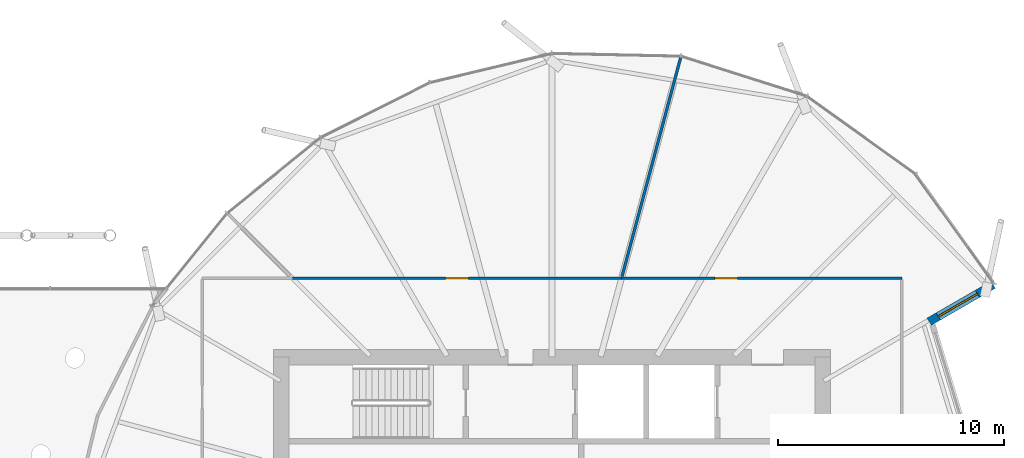
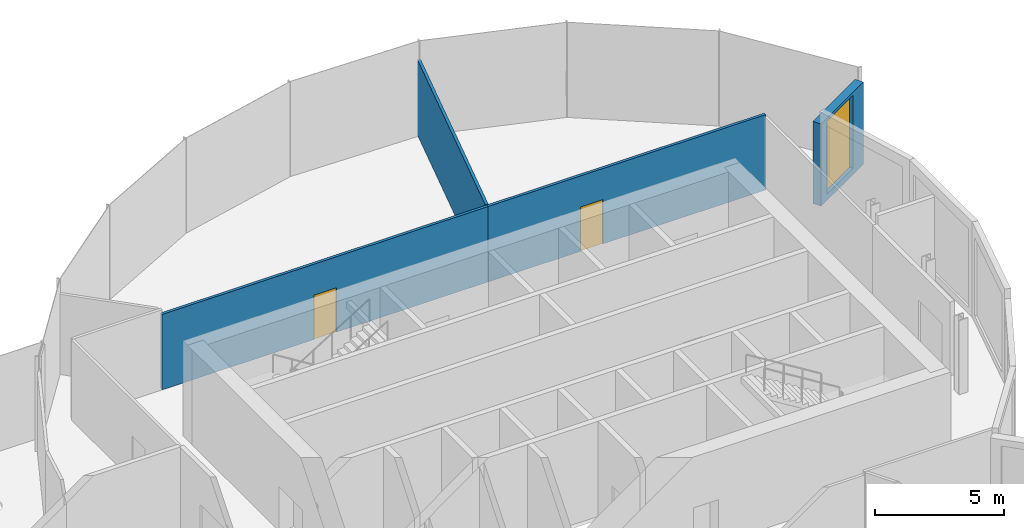
# One storey, part 27 of 36: 4 walls, 2 doors, 1 window, 3 openings.
"""IFC4 building model written with IfcOpenShell, lengths in metres."""

from ifc_helpers import new_model, si_unit, direction, frame, frame_2d, origin, place, context, subcontext, project, spatial, rectangle, extrude, material, layer, layer_set, type_object, element, fill, save


model = new_model("IFC4")

# Units and contexts
model_context = context("Model", 3, precision=1e-05, world=origin(), true_north=direction((0.0, 1.0)))
body_context = subcontext(model_context, "Body", "Model", "MODEL_VIEW")
ifc_project = project(units=[si_unit("LENGTHUNIT", "METRE"), si_unit("AREAUNIT", "SQUARE_METRE"), si_unit("VOLUMEUNIT", "CUBIC_METRE"), si_unit("PLANEANGLEUNIT", "RADIAN"), si_unit("MASSUNIT", "GRAM", prefix="KILO")], contexts=[model_context])

# Site, building, storey
site_placement = place(None, origin())
site = spatial("IfcSite", under=ifc_project, at=site_placement, CompositionType="ELEMENT")
building_placement = place(site_placement, origin())
building = spatial("IfcBuilding", under=site, at=building_placement, Name="Rimbun Link Towers", CompositionType="ELEMENT")
storey_placement = place(building_placement, frame((0.0, 0.0, 154.39990234375)))
storey = spatial("IfcBuildingStorey", under=building, at=storey_placement, Name="L37", CompositionType="ELEMENT", Elevation=154.39990234375)

# Wall, opening, window
ifc_material_1 = material(Name="Dark enamelled glass spandrel on insulated aluminium backpan", Category="aluminium")
ifc_layer_1 = layer(ifc_material_1, 0.3701171875)
ifc_layer_set_1 = layer_set([ifc_layer_1], Name="CS dark enamelled spandrel wall 370")
wall_type_1 = type_object("IfcWallType", Name="CS dark enamelled spandrel wall 370", PredefinedType="STANDARD", material=ifc_layer_set_1)
wall_1_placement = place(storey_placement, frame((51.304443359375, 11.214599609375, 0.0), z_axis=(0.0, 0.0, 1.0), x_axis=(-0.866040564224, -0.499973740429, 0.0)))
wall_1 = element("IfcWall", 1, at=wall_1_placement, inside=storey, type_object=wall_type_1, Name="Crease spandrel wall", PredefinedType="STANDARD", context=body_context, shape_type="SweptSolid", body=[
    extrude(rectangle(XDim=3.280029296875, YDim=0.3701171875, at=frame_2d((1.64013671875, 0.0))), origin(), (0.0, 0.0, 1.0), 3.88671875),
])
opening_1_placement = place(wall_1_placement, frame((0.812255859375, 0.0, 0.300048828125)))
opening_1 = element("IfcOpeningElement", 2, at=opening_1_placement, cuts=wall_1, Name="Opening WR20H345", PredefinedType="OPENING", context=body_context, shape_type="SweptSolid", body=[
    extrude(rectangle(XDim=2.0, YDim=3.449951171875, at=frame_2d((1.0, 1.72509765625))), frame((0.0, 0.195068359375, 0.0), z_axis=(0.0, -1.0, 0.0), x_axis=(1.0, 0.0, 0.0)), (0.0, 0.0, 1.0), 0.39013671875),
])
ifc_material_2 = material(Name="Aluminium framed fixed window, dark tinted low-e glass", Category="aluminium")
window_type = type_object("IfcWindowType", Name="WR ribbon window 2000X3450", PartitioningType="SINGLE_PANEL", PredefinedType="WINDOW", material=ifc_material_2)
window_placement = place(opening_1_placement, origin())
window = element("IfcWindow", 3, at=window_placement, inside=storey, type_object=window_type, Name="Crease ribbon window", OverallHeight=3.449951171875, OverallWidth=2.0, PartitioningType="SINGLE_PANEL", PredefinedType="WINDOW", context=body_context, shape_type="SweptSolid", body=[
    extrude(rectangle(XDim=2.0, YDim=3.449951171875, at=frame_2d((1.0, 1.72509765625))), frame((0.0, 0.030029296875, 0.0), z_axis=(0.0, -1.0, 0.0), x_axis=(1.0, 0.0, 0.0)), (0.0, 0.0, 1.0), 0.06005859375),
])
fill(opening_1, window)

# Wall, opening, door
ifc_material_3 = material(Name="Gypsum board on steel studs", Category="steel")
ifc_layer_2 = layer(ifc_material_3, 0.125)
ifc_layer_set_2 = layer_set([ifc_layer_2], Name="Partition 125 board on studs")
wall_type_2 = type_object("IfcWallType", Name="Partition 125 board on studs", PredefinedType="PARTITIONING", material=ifc_layer_set_2)
wall_2_placement = place(storey_placement, frame((47.25, 11.5, 0.0), z_axis=(0.0, 0.0, 1.0), x_axis=(-1.0, 0.0, 0.0)))
wall_2 = element("IfcWall", 4, at=wall_2_placement, inside=storey, type_object=wall_type_2, Name="TW/PW/L37/043", PredefinedType="PARTITIONING", context=body_context, shape_type="SweptSolid", body=[
    extrude(rectangle(XDim=12.418701171875, YDim=0.125, at=frame_2d((6.20947265625, 0.0))), origin(), (0.0, 0.0, 1.0), 3.568115234375),
])
opening_2_placement = place(wall_2_placement, frame((7.287109375, 0.0, 0.0)))
opening_2 = element("IfcOpeningElement", 5, at=opening_2_placement, cuts=wall_2, Name="Opening TW D37.15", PredefinedType="OPENING", context=body_context, shape_type="SweptSolid", body=[
    extrude(rectangle(XDim=1.0, YDim=2.10009765625, at=frame_2d((0.5, 1.050048828125))), frame((0.0, 0.072509765625, 0.0), z_axis=(0.0, -1.0, 0.0), x_axis=(1.0, 0.0, 0.0)), (0.0, 0.0, 1.0), 0.14501953125),
])
ifc_material_4 = material(Name="Timber door set", Category="wood")
door_type = type_object("IfcDoorType", Name="Door single leaf 1000 x 2100", OperationType="NOTDEFINED", PredefinedType="DOOR", material=ifc_material_4)
door_1_placement = place(opening_2_placement, origin())
door_1 = element("IfcDoor", 6, at=door_1_placement, inside=storey, type_object=door_type, Name="TW/DR/L37/015", OperationType="SINGLE_SWING_RIGHT", OverallHeight=2.10009765625, OverallWidth=1.0, PredefinedType="DOOR", context=body_context, shape_type="SweptSolid", body=[
    extrude(rectangle(XDim=1.0, YDim=2.10009765625, at=frame_2d((0.5, 1.050048828125))), frame((0.0, 0.02490234375, 0.0), z_axis=(0.0, -1.0, 0.0), x_axis=(1.0, 0.0, 0.0)), (0.0, 0.0, 1.0), 0.050048828125),
])
fill(opening_2, door_1)

wall_3_placement = place(storey_placement, frame((34.831298828125, 11.5, 0.0), z_axis=(0.0, 0.0, 1.0), x_axis=(-1.0, 0.0, 0.0)))
wall_3 = element("IfcWall", 7, at=wall_3_placement, inside=storey, type_object=wall_type_2, Name="TW/PW/L37/045", PredefinedType="PARTITIONING", context=body_context, shape_type="SweptSolid", body=[
    extrude(rectangle(XDim=14.581298828125, YDim=0.125, at=frame_2d((7.29052734375, 0.0))), origin(), (0.0, 0.0, 1.0), 3.568115234375),
])
opening_3_placement = place(wall_3_placement, frame((6.791015625, 0.0, 0.0)))
opening_3 = element("IfcOpeningElement", 8, at=opening_3_placement, cuts=wall_3, Name="Opening TW D37.16", PredefinedType="OPENING", context=body_context, shape_type="SweptSolid", body=[
    extrude(rectangle(XDim=1.0, YDim=2.10009765625, at=frame_2d((0.5, 1.050048828125))), frame((0.0, 0.072509765625, 0.0), z_axis=(0.0, -1.0, 0.0), x_axis=(1.0, 0.0, 0.0)), (0.0, 0.0, 1.0), 0.14501953125),
])
door_2_placement = place(opening_3_placement, origin())
door_2 = element("IfcDoor", 9, at=door_2_placement, inside=storey, type_object=door_type, Name="TW/DR/L37/016", OperationType="SINGLE_SWING_LEFT", OverallHeight=2.10009765625, OverallWidth=1.0, PredefinedType="DOOR", context=body_context, shape_type="SweptSolid", body=[
    extrude(rectangle(XDim=1.0, YDim=2.10009765625, at=frame_2d((0.5, 1.050048828125))), frame((0.0, 0.02490234375, 0.0), z_axis=(0.0, -1.0, 0.0), x_axis=(1.0, 0.0, 0.0)), (0.0, 0.0, 1.0), 0.050048828125),
])
fill(opening_3, door_2)

# Wall
wall_4_placement = place(storey_placement, frame((37.48095703125, 21.38818359375, 0.0), z_axis=(0.0, 0.0, 1.0), x_axis=(-0.258814591656, -0.965927019575, 0.0)))
element("IfcWall", 10, at=wall_4_placement, inside=storey, type_object=wall_type_2, Name="TW/PW/L37/058", PredefinedType="PARTITIONING", context=body_context, shape_type="SweptSolid", body=[
    extrude(rectangle(XDim=10.155517578125, YDim=0.125, at=frame_2d((5.07763671875, 0.0))), origin(), (0.0, 0.0, 1.0), 3.568115234375),
])

save(model, "model.ifc")
